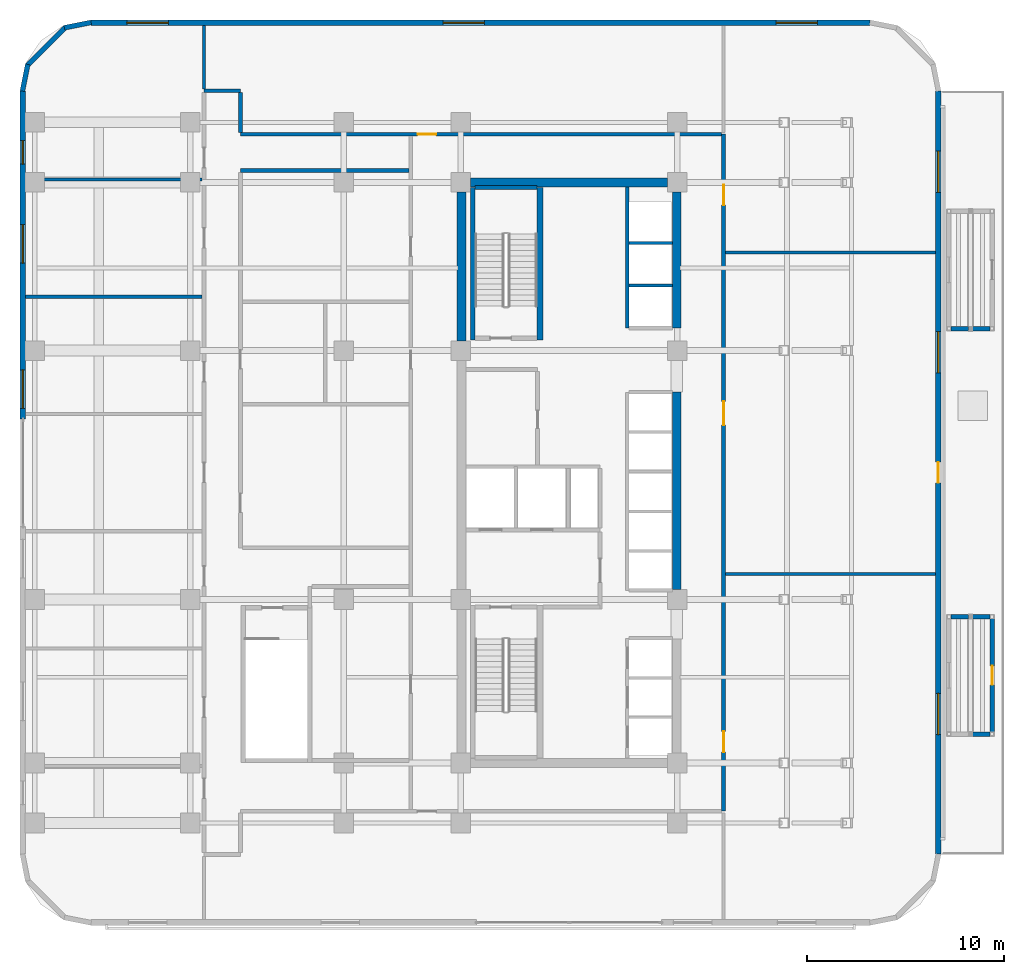
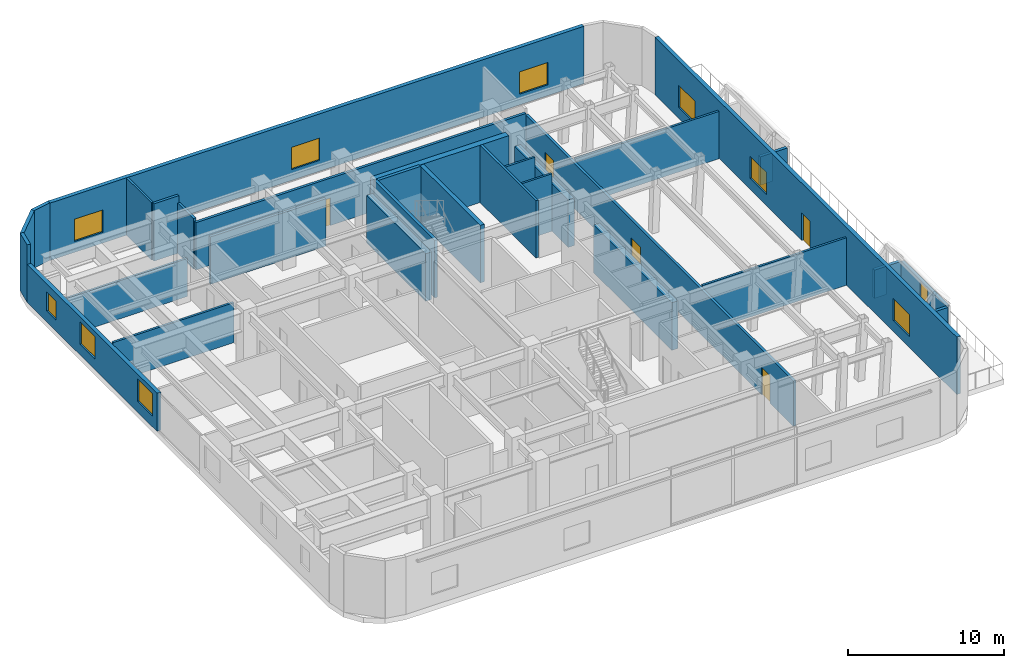
# One storey, part 12 of 18: 32 walls, 9 windows, 6 doors, 15 openings.
"""IFC4 building model written with IfcOpenShell, lengths in metres."""

from ifc_helpers import new_model, si_unit, direction, frame, frame_2d, origin, place, context, subcontext, project, spatial, rectangle, extrude, material, layer, layer_set, type_object, element, fill, save


model = new_model("IFC4")

# Units and contexts
model_context = context("Model", 3, precision=1e-05, world=origin(), true_north=direction((0.0, 1.0)))
body_context = subcontext(model_context, "Body", "Model", "MODEL_VIEW")
ifc_project = project(units=[si_unit("LENGTHUNIT", "METRE"), si_unit("AREAUNIT", "SQUARE_METRE"), si_unit("VOLUMEUNIT", "CUBIC_METRE"), si_unit("PLANEANGLEUNIT", "RADIAN"), si_unit("MASSUNIT", "GRAM", prefix="KILO")], contexts=[model_context])

# Site, building, storey
site_placement = place(None, origin())
site = spatial("IfcSite", under=ifc_project, at=site_placement, CompositionType="ELEMENT")
building_placement = place(site_placement, origin())
building = spatial("IfcBuilding", under=site, at=building_placement, Name="Ochreholt Gables", CompositionType="ELEMENT")
storey_placement = place(building_placement, frame((0.0, 0.0, 19.199951171875)))
storey = spatial("IfcBuildingStorey", under=building, at=storey_placement, Name="L04", CompositionType="ELEMENT", Elevation=19.199951171875)

# Walls
ifc_material_1 = material(Name="Concrete 60 MPa", Category="concrete")
ifc_layer_1 = layer(ifc_material_1, 0.449951171875, Name="Concrete 60 MPa")
ifc_layer_set_1 = layer_set([ifc_layer_1], Name="Concrete 60 MPa")
wall_type_1 = type_object("IfcWallType", Name="WALL-CSW-450", PredefinedType="SHEAR", material=ifc_layer_set_1)
wall_1_placement = place(storey_placement, frame((24.22509765625, 30.699951171875, 0.0), z_axis=(0.0, 0.0, 1.0), x_axis=(0.0, 1.0, 0.0)))
element("IfcWall", 1, at=wall_1_placement, inside=storey, type_object=wall_type_1, Name="L04 Core West Shear Wall WN", PredefinedType="SHEAR", context=body_context, shape_type="SweptSolid", body=[
    extrude(rectangle(XDim=7.550048828125, YDim=0.449951171875, at=frame_2d((3.77490234375, 0.0))), origin(), (0.0, 0.0, 1.0), 3.72998046875),
])
wall_2_placement = place(storey_placement, frame((35.175048828125, 18.050048828125, 0.0), z_axis=(0.0, 0.0, 1.0), x_axis=(0.0, 1.0, 0.0)))
element("IfcWall", 2, at=wall_2_placement, inside=storey, type_object=wall_type_1, Name="L04 Core Central-East Shear Wall", PredefinedType="SHEAR", context=body_context, shape_type="SweptSolid", body=[
    extrude(rectangle(XDim=10.050048828125, YDim=0.449951171875, at=frame_2d((5.02490234375, 0.0))), origin(), (0.0, 0.0, 1.0), 3.72998046875),
])
wall_3_placement = place(storey_placement, frame((35.175048828125, 31.35009765625, 0.0), z_axis=(0.0, 0.0, 1.0), x_axis=(0.0, 1.0, 0.0)))
element("IfcWall", 3, at=wall_3_placement, inside=storey, type_object=wall_type_1, Name="L04 Core North-East Shear Wall", PredefinedType="SHEAR", context=body_context, shape_type="SweptSolid", body=[
    extrude(rectangle(XDim=6.89990234375, YDim=0.449951171875, at=frame_2d((3.449951171875, 0.0))), origin(), (0.0, 0.0, 1.0), 3.72998046875),
])
wall_4_placement = place(storey_placement, frame((24.699951171875, 38.75, 0.0), z_axis=(0.0, 0.0, 1.0), x_axis=(1.0, 0.0, 0.0)))
element("IfcWall", 4, at=wall_4_placement, inside=storey, type_object=wall_type_1, Name="L04 Core North Shear Wall", PredefinedType="SHEAR", context=body_context, shape_type="SweptSolid", body=[
    extrude(rectangle(XDim=10.0, YDim=0.449951171875, at=frame_2d((5.0, 0.0))), origin(), (0.0, 0.0, 1.0), 4.5),
])

# Wall, openings, door, windows
ifc_material_2 = material(Name="Precast concrete 40 MPa", Category="concrete")
ifc_layer_2 = layer(ifc_material_2, 0.2900390625, Name="Precast concrete 40 MPa")
ifc_layer_set_2 = layer_set([ifc_layer_2], Name="Precast concrete 40 MPa")
wall_type_2 = type_object("IfcWallType", Name="WALL-EXT-290", PredefinedType="SOLIDWALL", material=ifc_layer_set_2)
wall_5_placement = place(storey_placement, frame((48.455078125, 4.6201171875, 0.0), z_axis=(0.0, 0.0, 1.0), x_axis=(0.0, 1.0, 0.0)))
wall_5 = element("IfcWall", 5, at=wall_5_placement, inside=storey, type_object=wall_type_2, Name="L04 East Exterior Wall", PredefinedType="SOLIDWALL", context=body_context, shape_type="SweptSolid", body=[
    extrude(rectangle(XDim=38.759765625, YDim=0.2900390625, at=frame_2d((19.3798828125, 0.0))), origin(), (0.0, 0.0, 1.0), 4.5),
])
opening_1_placement = place(wall_5_placement, frame((18.860107421875, 0.0, 0.0)))
opening_1 = element("IfcOpeningElement", 6, at=opening_1_placement, cuts=wall_5, Name="Opening D-TR1", PredefinedType="OPENING", context=body_context, shape_type="SweptSolid", body=[
    extrude(rectangle(XDim=1.050048828125, YDim=2.14990234375, at=frame_2d((0.52490234375, 1.074951171875))), frame((0.0, 0.155029296875, 0.0), z_axis=(0.0, -1.0, 0.0), x_axis=(1.0, 0.0, 0.0)), (0.0, 0.0, 1.0), 0.31005859375),
])
opening_2_placement = place(wall_5_placement, frame((6.0625, 0.0, 0.85009765625)))
opening_2 = element("IfcOpeningElement", 7, at=opening_2_placement, cuts=wall_5, Name="Opening WN-4", PredefinedType="OPENING", context=body_context, shape_type="SweptSolid", body=[
    extrude(rectangle(XDim=2.10009765625, YDim=1.75, at=frame_2d((1.050048828125, 0.875))), frame((0.0, 0.155029296875, 0.0), z_axis=(0.0, -1.0, 0.0), x_axis=(1.0, 0.0, 0.0)), (0.0, 0.0, 1.0), 0.31005859375),
])
opening_3_placement = place(wall_5_placement, frame((24.449951171875, 0.0, 0.85009765625)))
opening_3 = element("IfcOpeningElement", 8, at=opening_3_placement, cuts=wall_5, Name="Opening WN-4", PredefinedType="OPENING", context=body_context, shape_type="SweptSolid", body=[
    extrude(rectangle(XDim=2.10009765625, YDim=1.75, at=frame_2d((1.050048828125, 0.875))), frame((0.0, 0.155029296875, 0.0), z_axis=(0.0, -1.0, 0.0), x_axis=(1.0, 0.0, 0.0)), (0.0, 0.0, 1.0), 0.31005859375),
])
opening_4_placement = place(wall_5_placement, frame((33.614990234375, 0.0, 0.85009765625)))
opening_4 = element("IfcOpeningElement", 9, at=opening_4_placement, cuts=wall_5, Name="Opening WN-4", PredefinedType="OPENING", context=body_context, shape_type="SweptSolid", body=[
    extrude(rectangle(XDim=2.10009765625, YDim=1.75, at=frame_2d((1.050048828125, 0.875))), frame((0.0, 0.155029296875, 0.0), z_axis=(0.0, -1.0, 0.0), x_axis=(1.0, 0.0, 0.0)), (0.0, 0.0, 1.0), 0.31005859375),
])
ifc_material_3 = material(Name="Thermally Broken Insulated Steel and Glass Door", Category="steel")
door_type_1 = type_object("IfcDoorType", Name="DR-EXT-TER1050", OperationType="NOTDEFINED", PredefinedType="DOOR", material=ifc_material_3)
door_1_placement = place(opening_1_placement, origin())
door_1 = element("IfcDoor", 10, at=door_1_placement, inside=storey, type_object=door_type_1, Name="L04 Outdoor Terrace Access Door TR-L04-E", OperationType="SINGLE_SWING_RIGHT", OverallHeight=2.14990234375, OverallWidth=1.050048828125, PredefinedType="DOOR", context=body_context, shape_type="SweptSolid", body=[
    extrude(rectangle(XDim=1.050048828125, YDim=2.14990234375, at=frame_2d((0.52490234375, 1.074951171875))), frame((0.0, 0.02490234375, 0.0), z_axis=(0.0, -1.0, 0.0), x_axis=(1.0, 0.0, 0.0)), (0.0, 0.0, 1.0), 0.050048828125),
])
fill(opening_1, door_1)
ifc_material_4 = material(Name="Triple-Glazed Thermally Broken Aluminium Window", Category="aluminium")
window_type_1 = type_object("IfcWindowType", Name="WIN-CLN-2100", PartitioningType="SINGLE_PANEL", PredefinedType="WINDOW", material=ifc_material_4)
window_1_placement = place(opening_2_placement, origin())
window_1 = element("IfcWindow", 11, at=window_1_placement, inside=storey, type_object=window_type_1, Name="L04 Window W-EXT-E-L04-1", OverallHeight=1.75, OverallWidth=2.10009765625, PartitioningType="SINGLE_PANEL", PredefinedType="WINDOW", context=body_context, shape_type="SweptSolid", body=[
    extrude(rectangle(XDim=2.10009765625, YDim=1.75, at=frame_2d((1.050048828125, 0.875))), frame((0.0, 0.030029296875, 0.0), z_axis=(0.0, -1.0, 0.0), x_axis=(1.0, 0.0, 0.0)), (0.0, 0.0, 1.0), 0.06005859375),
])
fill(opening_2, window_1)
window_2_placement = place(opening_3_placement, origin())
window_2 = element("IfcWindow", 12, at=window_2_placement, inside=storey, type_object=window_type_1, Name="L04 Window W-EXT-E-L04-2", OverallHeight=1.75, OverallWidth=2.10009765625, PartitioningType="SINGLE_PANEL", PredefinedType="WINDOW", context=body_context, shape_type="SweptSolid", body=[
    extrude(rectangle(XDim=2.10009765625, YDim=1.75, at=frame_2d((1.050048828125, 0.875))), frame((0.0, 0.030029296875, 0.0), z_axis=(0.0, -1.0, 0.0), x_axis=(1.0, 0.0, 0.0)), (0.0, 0.0, 1.0), 0.06005859375),
])
fill(opening_3, window_2)
window_3_placement = place(opening_4_placement, origin())
window_3 = element("IfcWindow", 13, at=window_3_placement, inside=storey, type_object=window_type_1, Name="L04 Window W-EXT-E-L04-3", OverallHeight=1.75, OverallWidth=2.10009765625, PartitioningType="SINGLE_PANEL", PredefinedType="WINDOW", context=body_context, shape_type="SweptSolid", body=[
    extrude(rectangle(XDim=2.10009765625, YDim=1.75, at=frame_2d((1.050048828125, 0.875))), frame((0.0, 0.030029296875, 0.0), z_axis=(0.0, -1.0, 0.0), x_axis=(1.0, 0.0, 0.0)), (0.0, 0.0, 1.0), 0.06005859375),
])
fill(opening_4, window_3)

# Wall, openings, windows
wall_6_placement = place(storey_placement, frame((44.97998046875, 46.85498046875, 0.0), z_axis=(0.0, 0.0, 1.0), x_axis=(-1.0, 0.0, 0.0)))
wall_6 = element("IfcWall", 14, at=wall_6_placement, inside=storey, type_object=wall_type_2, Name="L04 North Exterior Wall", PredefinedType="SOLIDWALL", context=body_context, shape_type="SweptSolid", body=[
    extrude(rectangle(XDim=39.56005859375, YDim=0.2900390625, at=frame_2d((19.780029296875, 0.0))), origin(), (0.0, 0.0, 1.0), 4.5),
])
opening_5_placement = place(wall_6_placement, frame((35.64501953125, 0.0, 0.85009765625)))
opening_5 = element("IfcOpeningElement", 15, at=opening_5_placement, cuts=wall_6, Name="Opening WN-4", PredefinedType="OPENING", context=body_context, shape_type="SweptSolid", body=[
    extrude(rectangle(XDim=2.10009765625, YDim=1.75, at=frame_2d((1.050048828125, 0.875))), frame((0.0, 0.155029296875, 0.0), z_axis=(0.0, -1.0, 0.0), x_axis=(1.0, 0.0, 0.0)), (0.0, 0.0, 1.0), 0.31005859375),
])
opening_6_placement = place(wall_6_placement, frame((19.580078125, 0.0, 0.85009765625)))
opening_6 = element("IfcOpeningElement", 16, at=opening_6_placement, cuts=wall_6, Name="Opening WN-4", PredefinedType="OPENING", context=body_context, shape_type="SweptSolid", body=[
    extrude(rectangle(XDim=2.10009765625, YDim=1.75, at=frame_2d((1.050048828125, 0.875))), frame((0.0, 0.155029296875, 0.0), z_axis=(0.0, -1.0, 0.0), x_axis=(1.0, 0.0, 0.0)), (0.0, 0.0, 1.0), 0.31005859375),
])
opening_7_placement = place(wall_6_placement, frame((2.6650390625, 0.0, 0.85009765625)))
opening_7 = element("IfcOpeningElement", 17, at=opening_7_placement, cuts=wall_6, Name="Opening WN-4", PredefinedType="OPENING", context=body_context, shape_type="SweptSolid", body=[
    extrude(rectangle(XDim=2.10009765625, YDim=1.75, at=frame_2d((1.050048828125, 0.875))), frame((0.0, 0.155029296875, 0.0), z_axis=(0.0, -1.0, 0.0), x_axis=(1.0, 0.0, 0.0)), (0.0, 0.0, 1.0), 0.31005859375),
])
window_4_placement = place(opening_5_placement, origin())
window_4 = element("IfcWindow", 18, at=window_4_placement, inside=storey, type_object=window_type_1, Name="L04 Window W-EXT-N-L04-1", OverallHeight=1.75, OverallWidth=2.10009765625, PartitioningType="SINGLE_PANEL", PredefinedType="WINDOW", context=body_context, shape_type="SweptSolid", body=[
    extrude(rectangle(XDim=2.10009765625, YDim=1.75, at=frame_2d((1.050048828125, 0.875))), frame((0.0, 0.030029296875, 0.0), z_axis=(0.0, -1.0, 0.0), x_axis=(1.0, 0.0, 0.0)), (0.0, 0.0, 1.0), 0.06005859375),
])
fill(opening_5, window_4)
window_5_placement = place(opening_6_placement, origin())
window_5 = element("IfcWindow", 19, at=window_5_placement, inside=storey, type_object=window_type_1, Name="L04 Window W-EXT-N-L04-2", OverallHeight=1.75, OverallWidth=2.10009765625, PartitioningType="SINGLE_PANEL", PredefinedType="WINDOW", context=body_context, shape_type="SweptSolid", body=[
    extrude(rectangle(XDim=2.10009765625, YDim=1.75, at=frame_2d((1.050048828125, 0.875))), frame((0.0, 0.030029296875, 0.0), z_axis=(0.0, -1.0, 0.0), x_axis=(1.0, 0.0, 0.0)), (0.0, 0.0, 1.0), 0.06005859375),
])
fill(opening_6, window_5)
window_6_placement = place(opening_7_placement, origin())
window_6 = element("IfcWindow", 20, at=window_6_placement, inside=storey, type_object=window_type_1, Name="L04 Window W-EXT-N-L04-3", OverallHeight=1.75, OverallWidth=2.10009765625, PartitioningType="SINGLE_PANEL", PredefinedType="WINDOW", context=body_context, shape_type="SweptSolid", body=[
    extrude(rectangle(XDim=2.10009765625, YDim=1.75, at=frame_2d((1.050048828125, 0.875))), frame((0.0, 0.030029296875, 0.0), z_axis=(0.0, -1.0, 0.0), x_axis=(1.0, 0.0, 0.0)), (0.0, 0.0, 1.0), 0.06005859375),
])
fill(opening_7, window_6)

wall_7_placement = place(storey_placement, frame((1.945068359375, 43.3798828125, 0.0), z_axis=(0.0, 0.0, 1.0), x_axis=(0.0, -1.0, 0.0)))
wall_7 = element("IfcWall", 21, at=wall_7_placement, inside=storey, type_object=wall_type_2, Name="L04 West Facade Wall 1", PredefinedType="SOLIDWALL", context=body_context, shape_type="SweptSolid", body=[
    extrude(rectangle(XDim=16.64990234375, YDim=0.2900390625, at=frame_2d((8.324951171875, 0.0))), origin(), (0.0, 0.0, 1.0), 2.98193359375),
])
opening_8_placement = place(wall_7_placement, frame((14.159912109375, 0.0, 0.85009765625)))
opening_8 = element("IfcOpeningElement", 22, at=opening_8_placement, cuts=wall_7, Name="Opening WN-9", PredefinedType="OPENING", context=body_context, shape_type="SweptSolid", body=[
    extrude(rectangle(XDim=1.949951171875, YDim=1.75, at=frame_2d((0.97509765625, 0.875))), frame((0.0, 0.155029296875, 0.0), z_axis=(0.0, -1.0, 0.0), x_axis=(1.0, 0.0, 0.0)), (0.0, 0.0, 1.0), 0.31005859375),
])
opening_9_placement = place(wall_7_placement, frame((6.780029296875, 0.0, 0.85009765625)))
opening_9 = element("IfcOpeningElement", 23, at=opening_9_placement, cuts=wall_7, Name="Opening WN-9", PredefinedType="OPENING", context=body_context, shape_type="SweptSolid", body=[
    extrude(rectangle(XDim=1.949951171875, YDim=1.75, at=frame_2d((0.97509765625, 0.875))), frame((0.0, 0.155029296875, 0.0), z_axis=(0.0, -1.0, 0.0), x_axis=(1.0, 0.0, 0.0)), (0.0, 0.0, 1.0), 0.31005859375),
])
opening_10_placement = place(wall_7_placement, frame((2.5048828125, 0.0, 0.85009765625)))
opening_10 = element("IfcOpeningElement", 24, at=opening_10_placement, cuts=wall_7, Name="Opening WN-3", PredefinedType="OPENING", context=body_context, shape_type="SweptSolid", body=[
    extrude(rectangle(XDim=1.199951171875, YDim=1.5, at=frame_2d((0.60009765625, 0.75))), frame((0.0, 0.155029296875, 0.0), z_axis=(0.0, -1.0, 0.0), x_axis=(1.0, 0.0, 0.0)), (0.0, 0.0, 1.0), 0.31005859375),
])
window_type_2 = type_object("IfcWindowType", Name="WIN-CLN-1950", PartitioningType="SINGLE_PANEL", PredefinedType="WINDOW", material=ifc_material_4)
window_7_placement = place(opening_8_placement, origin())
window_7 = element("IfcWindow", 25, at=window_7_placement, inside=storey, type_object=window_type_2, Name="L04 Window W-EXT-W1-L04-1", OverallHeight=1.75, OverallWidth=1.949951171875, PartitioningType="SINGLE_PANEL", PredefinedType="WINDOW", context=body_context, shape_type="SweptSolid", body=[
    extrude(rectangle(XDim=1.949951171875, YDim=1.75, at=frame_2d((0.97509765625, 0.875))), frame((0.0, 0.030029296875, 0.0), z_axis=(0.0, -1.0, 0.0), x_axis=(1.0, 0.0, 0.0)), (0.0, 0.0, 1.0), 0.06005859375),
])
fill(opening_8, window_7)
window_8_placement = place(opening_9_placement, origin())
window_8 = element("IfcWindow", 26, at=window_8_placement, inside=storey, type_object=window_type_2, Name="L04 Window W-EXT-W1-L04-2", OverallHeight=1.75, OverallWidth=1.949951171875, PartitioningType="SINGLE_PANEL", PredefinedType="WINDOW", context=body_context, shape_type="SweptSolid", body=[
    extrude(rectangle(XDim=1.949951171875, YDim=1.75, at=frame_2d((0.97509765625, 0.875))), frame((0.0, 0.030029296875, 0.0), z_axis=(0.0, -1.0, 0.0), x_axis=(1.0, 0.0, 0.0)), (0.0, 0.0, 1.0), 0.06005859375),
])
fill(opening_9, window_8)
window_type_3 = type_object("IfcWindowType", Name="WIN-RES-1200", PartitioningType="SINGLE_PANEL", PredefinedType="WINDOW", material=ifc_material_4)
window_9_placement = place(opening_10_placement, origin())
window_9 = element("IfcWindow", 27, at=window_9_placement, inside=storey, type_object=window_type_3, Name="L04 Window W-EXT-W1-L04-3", OverallHeight=1.5, OverallWidth=1.199951171875, PartitioningType="SINGLE_PANEL", PredefinedType="WINDOW", context=body_context, shape_type="SweptSolid", body=[
    extrude(rectangle(XDim=1.199951171875, YDim=1.5, at=frame_2d((0.60009765625, 0.75))), frame((0.0, 0.030029296875, 0.0), z_axis=(0.0, -1.0, 0.0), x_axis=(1.0, 0.0, 0.0)), (0.0, 0.0, 1.0), 0.06005859375),
])
fill(opening_10, window_9)

# Walls
ifc_layer_3 = layer(ifc_material_2, 0.25, Name="Precast concrete 40 MPa")
ifc_layer_set_3 = layer_set([ifc_layer_3], Name="Precast concrete 40 MPa")
wall_type_3 = type_object("IfcWallType", Name="WALL-EXT-CNR", PredefinedType="SOLIDWALL", material=ifc_layer_set_3)
wall_8_placement = place(storey_placement, frame((5.41650390625, 46.875732421875, 0.0), z_axis=(0.0, 0.0, 1.0), x_axis=(-0.980809899341, -0.19496651342, 0.0)))
element("IfcWall", 28, at=wall_8_placement, inside=storey, type_object=wall_type_3, Name="L04 Rounded Corner Wall NW-1", PredefinedType="SOLIDWALL", context=body_context, shape_type="SweptSolid", body=[
    extrude(rectangle(XDim=1.388671875, YDim=0.25, at=frame_2d((0.6943359375, 0.0))), origin(), (0.0, 0.0, 1.0), 4.5),
])
wall_9_placement = place(storey_placement, frame((4.10498046875, 46.632080078125, 0.0), z_axis=(0.0, 0.0, 1.0), x_axis=(-0.707106781187, -0.707106781187, 0.0)))
element("IfcWall", 29, at=wall_9_placement, inside=storey, type_object=wall_type_3, Name="L04 Rounded Corner Wall NW-2", PredefinedType="SOLIDWALL", context=body_context, shape_type="SweptSolid", body=[
    extrude(rectangle(XDim=2.7392578125, YDim=0.25, at=frame_2d((1.36962890625, 0.0))), origin(), (0.0, 0.0, 1.0), 4.5),
])
wall_10_placement = place(storey_placement, frame((2.195068359375, 44.74560546875, 0.0), z_axis=(0.0, 0.0, 1.0), x_axis=(-0.19496651342, -0.980809899341, 0.0)))
element("IfcWall", 30, at=wall_10_placement, inside=storey, type_object=wall_type_3, Name="L04 Rounded Corner Wall NW-3", PredefinedType="SOLIDWALL", context=body_context, shape_type="SweptSolid", body=[
    extrude(rectangle(XDim=1.388671875, YDim=0.25, at=frame_2d((0.6943359375, 0.0))), origin(), (0.0, 0.0, 1.0), 4.5),
])
ifc_layer_4 = layer(ifc_material_2, 0.22998046875, Name="Precast concrete 40 MPa")
ifc_layer_set_4 = layer_set([ifc_layer_4], Name="Precast concrete 40 MPa")
wall_type_4 = type_object("IfcWallType", Name="WALL-EXT-GAB", PredefinedType="SOLIDWALL", material=ifc_layer_set_4)
for number, where, z_axis, x_axis, name in (
    (31, (50.201904296875, 10.715087890625, 0.0), (0.0, 0.0, 1.0), (1.0, 0.0, 0.0), "L04 Gable End Wall GB-04E1-S2"),
    (32, (49.10205078125, 16.68505859375, 0.0), (0.0, 0.0, 1.0), (1.0, 0.0, 0.0), "L04 Gable End Wall GB-04E1-N1"),
    (33, (50.201904296875, 16.68505859375, 0.0), (0.0, 0.0, 1.0), (1.0, 0.0, 0.0), "L04 Gable End Wall GB-04E1-N2"),
):
    element("IfcWall", number, at=place(storey_placement, frame(where, z_axis=z_axis, x_axis=x_axis)), inside=storey, type_object=wall_type_4, Name=name, PredefinedType="SOLIDWALL", context=body_context, shape_type="SweptSolid", body=[
        extrude(rectangle(XDim=0.89599609375, YDim=0.22998046875, at=frame_2d((0.447998046875, 0.0))), origin(), (0.0, 0.0, 1.0), 2.22705078125),
    ])

# Wall, opening, door
wall_11_placement = place(storey_placement, frame((51.205078125, 10.822021484375, 0.0), z_axis=(0.0, 0.0, 1.0), x_axis=(0.0, 1.0, 0.0)))
wall_11 = element("IfcWall", 34, at=wall_11_placement, inside=storey, type_object=wall_type_4, Name="L04 Gable Eave Wall GB-04E1-E", PredefinedType="SOLIDWALL", context=body_context, shape_type="SweptSolid", body=[
    extrude(rectangle(XDim=5.755859375, YDim=0.22998046875, at=frame_2d((2.8779296875, 0.0))), origin(), (0.0, 0.0, 1.0), 2.22705078125),
])
opening_11_placement = place(wall_11_placement, frame((2.39794921875, 0.0, 0.0)))
opening_11 = element("IfcOpeningElement", 35, at=opening_11_placement, cuts=wall_11, Name="Opening D-GB1", PredefinedType="OPENING", context=body_context, shape_type="SweptSolid", body=[
    extrude(rectangle(XDim=0.9599609375, YDim=2.080078125, at=frame_2d((0.47998046875, 1.0400390625))), frame((0.0, 0.125, 0.0), z_axis=(0.0, -1.0, 0.0), x_axis=(1.0, 0.0, 0.0)), (0.0, 0.0, 1.0), 0.25),
])
door_type_2 = type_object("IfcDoorType", Name="DR-EXT-GAB960", OperationType="NOTDEFINED", PredefinedType="DOOR", material=ifc_material_3)
door_2_placement = place(opening_11_placement, origin())
door_2 = element("IfcDoor", 36, at=door_2_placement, inside=storey, type_object=door_type_2, Name="L04 Gable Pavilion Door GB-04E1", OperationType="SINGLE_SWING_LEFT", OverallHeight=2.080078125, OverallWidth=0.9599609375, PredefinedType="DOOR", context=body_context, shape_type="SweptSolid", body=[
    extrude(rectangle(XDim=0.9599609375, YDim=2.080078125, at=frame_2d((0.47998046875, 1.0400390625))), frame((0.0, 0.02490234375, 0.0), z_axis=(0.0, -1.0, 0.0), x_axis=(1.0, 0.0, 0.0)), (0.0, 0.0, 1.0), 0.050048828125),
])
fill(opening_11, door_2)

# Walls
for number, where, z_axis, x_axis, name in (
    (37, (49.10205078125, 31.31494140625, 0.0), (0.0, 0.0, 1.0), (1.0, 0.0, 0.0), "L04 Gable End Wall GB-04E2-S1"),
    (38, (50.201904296875, 31.31494140625, 0.0), (0.0, 0.0, 1.0), (1.0, 0.0, 0.0), "L04 Gable End Wall GB-04E2-S2"),
):
    element("IfcWall", number, at=place(storey_placement, frame(where, z_axis=z_axis, x_axis=x_axis)), inside=storey, type_object=wall_type_4, Name=name, PredefinedType="SOLIDWALL", context=body_context, shape_type="SweptSolid", body=[
        extrude(rectangle(XDim=0.89599609375, YDim=0.22998046875, at=frame_2d((0.447998046875, 0.0))), origin(), (0.0, 0.0, 1.0), 2.22705078125),
    ])

# Wall, openings, doors
ifc_material_5 = material(Name="Fire-Rated Gypsum Acoustic Partition", Category="gypsum")
ifc_layer_5 = layer(ifc_material_5, 0.18994140625, Name="Fire-Rated Gypsum Acoustic Partition")
ifc_layer_set_5 = layer_set([ifc_layer_5], Name="Fire-Rated Gypsum Acoustic Partition")
wall_type_5 = type_object("IfcWallType", Name="WALL-INT-CR190", PredefinedType="STANDARD", material=ifc_layer_set_5)
wall_12_placement = place(storey_placement, frame((37.550048828125, 6.800048828125, 0.0), z_axis=(0.0, 0.0, 1.0), x_axis=(0.0, 1.0, 0.0)))
wall_12 = element("IfcWall", 39, at=wall_12_placement, inside=storey, type_object=wall_type_5, Name="L04 Interior Wall WI-CLCE-L04", PredefinedType="STANDARD", context=body_context, shape_type="SweptSolid", body=[
    extrude(rectangle(XDim=34.39990234375, YDim=0.18994140625, at=frame_2d((17.199951171875, 0.0))), origin(), (0.0, 0.0, 1.0), 3.554931640625),
])
opening_12_placement = place(wall_12_placement, frame((3.0, 0.0, 0.0)))
opening_12 = element("IfcOpeningElement", 40, at=opening_12_placement, cuts=wall_12, Name="Opening D-CL1", PredefinedType="OPENING", context=body_context, shape_type="SweptSolid", body=[
    extrude(rectangle(XDim=1.050048828125, YDim=2.14990234375, at=frame_2d((0.52490234375, 1.074951171875))), frame((0.0, 0.10498046875, 0.0), z_axis=(0.0, -1.0, 0.0), x_axis=(1.0, 0.0, 0.0)), (0.0, 0.0, 1.0), 0.2099609375),
])
opening_13_placement = place(wall_12_placement, frame((19.617431640625, 0.0, 0.0)))
opening_13 = element("IfcOpeningElement", 41, at=opening_13_placement, cuts=wall_12, Name="Opening D-CL2", PredefinedType="OPENING", context=body_context, shape_type="SweptSolid", body=[
    extrude(rectangle(XDim=1.199951171875, YDim=2.14990234375, at=frame_2d((0.60009765625, 1.074951171875))), frame((0.0, 0.10498046875, 0.0), z_axis=(0.0, -1.0, 0.0), x_axis=(1.0, 0.0, 0.0)), (0.0, 0.0, 1.0), 0.2099609375),
])
opening_14_placement = place(wall_12_placement, frame((30.7900390625, 0.0, 0.0)))
opening_14 = element("IfcOpeningElement", 42, at=opening_14_placement, cuts=wall_12, Name="Opening D-CL1", PredefinedType="OPENING", context=body_context, shape_type="SweptSolid", body=[
    extrude(rectangle(XDim=1.050048828125, YDim=2.14990234375, at=frame_2d((0.52490234375, 1.074951171875))), frame((0.0, 0.10498046875, 0.0), z_axis=(0.0, -1.0, 0.0), x_axis=(1.0, 0.0, 0.0)), (0.0, 0.0, 1.0), 0.2099609375),
])
ifc_material_6 = material(Name="Engineered Oak Timber", Category="wood")
door_type_3 = type_object("IfcDoorType", Name="DR-INT-CLN1050", OperationType="NOTDEFINED", PredefinedType="DOOR", material=ifc_material_6)
door_3_placement = place(opening_12_placement, origin())
door_3 = element("IfcDoor", 43, at=door_3_placement, inside=storey, type_object=door_type_3, Name="L04 Door D-CLE1-L04", OperationType="SINGLE_SWING_LEFT", OverallHeight=2.14990234375, OverallWidth=1.050048828125, PredefinedType="DOOR", context=body_context, shape_type="SweptSolid", body=[
    extrude(rectangle(XDim=1.050048828125, YDim=2.14990234375, at=frame_2d((0.52490234375, 1.074951171875))), frame((0.0, 0.02490234375, 0.0), z_axis=(0.0, -1.0, 0.0), x_axis=(1.0, 0.0, 0.0)), (0.0, 0.0, 1.0), 0.050048828125),
])
fill(opening_12, door_3)
door_4_placement = place(opening_14_placement, origin())
door_4 = element("IfcDoor", 44, at=door_4_placement, inside=storey, type_object=door_type_3, Name="L04 Door D-CLE3-L04", OperationType="SINGLE_SWING_LEFT", OverallHeight=2.14990234375, OverallWidth=1.050048828125, PredefinedType="DOOR", context=body_context, shape_type="SweptSolid", body=[
    extrude(rectangle(XDim=1.050048828125, YDim=2.14990234375, at=frame_2d((0.52490234375, 1.074951171875))), frame((0.0, 0.02490234375, 0.0), z_axis=(0.0, -1.0, 0.0), x_axis=(1.0, 0.0, 0.0)), (0.0, 0.0, 1.0), 0.050048828125),
])
fill(opening_14, door_4)
door_type_4 = type_object("IfcDoorType", Name="DR-INT-CLN1200", OperationType="NOTDEFINED", PredefinedType="DOOR", material=ifc_material_6)
door_5_placement = place(opening_13_placement, origin())
door_5 = element("IfcDoor", 45, at=door_5_placement, inside=storey, type_object=door_type_4, Name="L04 Door D-CLE2-L04", OperationType="SINGLE_SWING_RIGHT", OverallHeight=2.14990234375, OverallWidth=1.199951171875, PredefinedType="DOOR", context=body_context, shape_type="SweptSolid", body=[
    extrude(rectangle(XDim=1.199951171875, YDim=2.14990234375, at=frame_2d((0.60009765625, 1.074951171875))), frame((0.0, 0.02490234375, 0.0), z_axis=(0.0, -1.0, 0.0), x_axis=(1.0, 0.0, 0.0)), (0.0, 0.0, 1.0), 0.050048828125),
])
fill(opening_13, door_5)

# Wall, opening, door
wall_13_placement = place(storey_placement, frame((13.0, 41.199951171875, 0.0), z_axis=(0.0, 0.0, 1.0), x_axis=(1.0, 0.0, 0.0)))
wall_13 = element("IfcWall", 46, at=wall_13_placement, inside=storey, type_object=wall_type_5, Name="L04 Interior Wall WI-CLCN-L04", PredefinedType="STANDARD", context=body_context, shape_type="SweptSolid", body=[
    extrude(rectangle(XDim=24.455078125, YDim=0.18994140625, at=frame_2d((12.2275390625, 0.0))), origin(), (0.0, 0.0, 1.0), 3.712158203125),
])
opening_15_placement = place(wall_13_placement, frame((9.0, 0.0, 0.0)))
opening_15 = element("IfcOpeningElement", 47, at=opening_15_placement, cuts=wall_13, Name="Opening D-GN1", PredefinedType="OPENING", context=body_context, shape_type="SweptSolid", body=[
    extrude(rectangle(XDim=0.949951171875, YDim=2.14990234375, at=frame_2d((0.47509765625, 1.074951171875))), frame((0.0, 0.10498046875, 0.0), z_axis=(0.0, -1.0, 0.0), x_axis=(1.0, 0.0, 0.0)), (0.0, 0.0, 1.0), 0.2099609375),
])
door_type_5 = type_object("IfcDoorType", Name="DR-INT-GEN950", OperationType="NOTDEFINED", PredefinedType="DOOR", material=ifc_material_6)
door_6_placement = place(opening_15_placement, origin())
door_6 = element("IfcDoor", 48, at=door_6_placement, inside=storey, type_object=door_type_5, Name="L04 Door D-CLCN-L04", OperationType="SINGLE_SWING_RIGHT", OverallHeight=2.14990234375, OverallWidth=0.949951171875, PredefinedType="DOOR", context=body_context, shape_type="SweptSolid", body=[
    extrude(rectangle(XDim=0.949951171875, YDim=2.14990234375, at=frame_2d((0.47509765625, 1.074951171875))), frame((0.0, 0.02490234375, 0.0), z_axis=(0.0, -1.0, 0.0), x_axis=(1.0, 0.0, 0.0)), (0.0, 0.0, 1.0), 0.050048828125),
])
fill(opening_15, door_6)

# Walls
wall_14_placement = place(storey_placement, frame((11.14990234375, 43.39990234375, 0.0), z_axis=(0.0, 0.0, 1.0), x_axis=(1.0, 0.0, 0.0)))
element("IfcWall", 49, at=wall_14_placement, inside=storey, type_object=wall_type_5, Name="L04 Interior Wall WI-CLCN0-L04", PredefinedType="STANDARD", context=body_context, shape_type="SweptSolid", body=[
    extrude(rectangle(XDim=1.85009765625, YDim=0.18994140625, at=frame_2d((0.925048828125, 0.0))), origin(), (0.0, 0.0, 1.0), 4.5),
])
wall_15_placement = place(storey_placement, frame((13.0, 41.294921875, 0.0), z_axis=(0.0, 0.0, 1.0), x_axis=(0.0, 1.0, 0.0)))
element("IfcWall", 50, at=wall_15_placement, inside=storey, type_object=wall_type_5, Name="L04 Interior Wall WI-CLCN1-L04", PredefinedType="STANDARD", context=body_context, shape_type="SweptSolid", body=[
    extrude(rectangle(XDim=2.010009765625, YDim=0.18994140625, at=frame_2d((1.0048828125, 0.0))), origin(), (0.0, 0.0, 1.0), 3.948974609375),
])
wall_16_placement = place(storey_placement, frame((13.0, 39.35009765625, 0.0), z_axis=(0.0, 0.0, 1.0), x_axis=(1.0, 0.0, 0.0)))
element("IfcWall", 51, at=wall_16_placement, inside=storey, type_object=wall_type_5, Name="L04 Interior Wall WI-CLCN2-L04", PredefinedType="STANDARD", context=body_context, shape_type="SweptSolid", body=[
    extrude(rectangle(XDim=8.554931640625, YDim=0.18994140625, at=frame_2d((4.27734375, 0.0))), origin(), (0.0, 0.0, 1.0), 3.712158203125),
])
ifc_material_7 = material(Name="Gypsum Acoustic Stud Partition", Category="gypsum")
ifc_layer_6 = layer(ifc_material_7, 0.159912109375, Name="Gypsum Acoustic Stud Partition")
ifc_layer_set_6 = layer_set([ifc_layer_6], Name="Gypsum Acoustic Stud Partition")
wall_type_6 = type_object("IfcWallType", Name="WALL-INT-PT160", PredefinedType="PARTITIONING", material=ifc_layer_set_6)
wall_17_placement = place(storey_placement, frame((11.14990234375, 43.4951171875, 0.0), z_axis=(0.0, 0.0, 1.0), x_axis=(0.0, 1.0, 0.0)))
element("IfcWall", 52, at=wall_17_placement, inside=storey, type_object=wall_type_6, Name="L04 Interior Wall WI-CLWWN-L04", PredefinedType="PARTITIONING", context=body_context, shape_type="SweptSolid", body=[
    extrude(rectangle(XDim=3.21484375, YDim=0.159912109375, at=frame_2d((1.607421875, 0.0))), origin(), (0.0, 0.0, 1.0), 4.5),
])
for number, where, z_axis, x_axis, name in (
    (53, (37.64501953125, 18.844970703125, 0.0), (0.0, 0.0, 1.0), (1.0, 0.0, 0.0), "L04 Interior Wall WI-CLE1-L04"),
    (54, (37.64501953125, 35.18994140625, 0.0), (0.0, 0.0, 1.0), (1.0, 0.0, 0.0), "L04 Interior Wall WI-CLE2-L04"),
):
    element("IfcWall", number, at=place(storey_placement, frame(where, z_axis=z_axis, x_axis=x_axis)), inside=storey, type_object=wall_type_6, Name=name, PredefinedType="PARTITIONING", context=body_context, shape_type="SweptSolid", body=[
        extrude(rectangle(XDim=10.6650390625, YDim=0.159912109375, at=frame_2d((5.33251953125, 0.0))), origin(), (0.0, 0.0, 1.0), 3.712158203125),
    ])
wall_18_placement = place(storey_placement, frame((2.090087890625, 32.93994140625, 0.0), z_axis=(0.0, 0.0, 1.0), x_axis=(1.0, 0.0, 0.0)))
element("IfcWall", 55, at=wall_18_placement, inside=storey, type_object=wall_type_6, Name="L04 Interior Wall WI-CLW5-L04", PredefinedType="PARTITIONING", context=body_context, shape_type="SweptSolid", body=[
    extrude(rectangle(XDim=8.96484375, YDim=0.159912109375, at=frame_2d((4.482421875, 0.0))), origin(), (0.0, 0.0, 1.0), 3.132080078125),
])
wall_19_placement = place(storey_placement, frame((2.090087890625, 38.89990234375, 0.0), z_axis=(0.0, 0.0, 1.0), x_axis=(1.0, 0.0, 0.0)))
element("IfcWall", 56, at=wall_19_placement, inside=storey, type_object=wall_type_6, Name="L04 Interior Wall WI-CLW6-L04", PredefinedType="PARTITIONING", context=body_context, shape_type="SweptSolid", body=[
    extrude(rectangle(XDim=8.96484375, YDim=0.159912109375, at=frame_2d((4.482421875, 0.0))), origin(), (0.0, 0.0, 1.0), 2.98193359375),
])
ifc_material_8 = material(Name="Gypsum Shaftliner and Steel Stud", Category="steel")
ifc_layer_7 = layer(ifc_material_8, 0.14990234375, Name="Gypsum Shaftliner and Steel Stud")
ifc_layer_set_7 = layer_set([ifc_layer_7], Name="Gypsum Shaftliner and Steel Stud")
wall_type_7 = type_object("IfcWallType", Name="WALL-INT-SH150", PredefinedType="STANDARD", material=ifc_layer_set_7)
for number, where, z_axis, x_axis, name in (
    (57, (32.739990234375, 33.52001953125, 0.0), (0.0, 0.0, 1.0), (1.0, 0.0, 0.0), "L04 Interior Wall WI-LFM-D1-L04"),
    (58, (32.739990234375, 35.669921875, 0.0), (0.0, 0.0, 1.0), (1.0, 0.0, 0.0), "L04 Interior Wall WI-LFM-D2-L04"),
):
    element("IfcWall", number, at=place(storey_placement, frame(where, z_axis=z_axis, x_axis=x_axis)), inside=storey, type_object=wall_type_7, Name=name, PredefinedType="STANDARD", context=body_context, shape_type="SweptSolid", body=[
        extrude(rectangle(XDim=2.2099609375, YDim=0.14990234375, at=frame_2d((1.10498046875, 0.0))), origin(), (0.0, 0.0, 1.0), 4.5),
    ])
ifc_layer_8 = layer(ifc_material_8, 0.179931640625, Name="Gypsum Shaftliner and Steel Stud")
ifc_layer_set_8 = layer_set([ifc_layer_8], Name="Gypsum Shaftliner and Steel Stud")
wall_type_8 = type_object("IfcWallType", Name="WALL-INT-SH180", PredefinedType="STANDARD", material=ifc_layer_set_8)
wall_20_placement = place(storey_placement, frame((32.64990234375, 31.35009765625, 0.0), z_axis=(0.0, 0.0, 1.0), x_axis=(0.0, 1.0, 0.0)))
element("IfcWall", 59, at=wall_20_placement, inside=storey, type_object=wall_type_8, Name="L04 Interior Wall WI-LFM-FR-L04", PredefinedType="STANDARD", context=body_context, shape_type="SweptSolid", body=[
    extrude(rectangle(XDim=7.1748046875, YDim=0.179931640625, at=frame_2d((3.58740234375, 0.0))), origin(), (0.0, 0.0, 1.0), 4.5),
])
ifc_layer_9 = layer(ifc_material_1, 0.300048828125, Name="Concrete 60 MPa")
ifc_layer_set_9 = layer_set([ifc_layer_9], Name="Concrete 60 MPa")
wall_type_9 = type_object("IfcWallType", Name="WALL-SPN-300", PredefinedType="SHEAR", material=ifc_layer_set_9)
wall_21_placement = place(storey_placement, frame((28.22998046875, 30.739990234375, 0.0), z_axis=(0.0, 0.0, 1.0), x_axis=(0.0, 1.0, 0.0)))
element("IfcWall", 60, at=wall_21_placement, inside=storey, type_object=wall_type_9, Name="L04 Core North Spine Shear Wall", PredefinedType="SHEAR", context=body_context, shape_type="SweptSolid", body=[
    extrude(rectangle(XDim=7.760009765625, YDim=0.300048828125, at=frame_2d((3.8798828125, 0.0))), origin(), (0.0, 0.0, 1.0), 4.5),
])
ifc_material_9 = material(Name="Concrete 50 MPa", Category="concrete")
ifc_layer_10 = layer(ifc_material_9, 0.219970703125, Name="Concrete 50 MPa")
ifc_layer_set_10 = layer_set([ifc_layer_10], Name="Concrete 50 MPa")
wall_type_10 = type_object("IfcWallType", Name="WALL-STW-220", PredefinedType="SHEAR", material=ifc_layer_set_10)
wall_22_placement = place(storey_placement, frame((24.81005859375, 30.739990234375, 0.0), z_axis=(0.0, 0.0, 1.0), x_axis=(0.0, 1.0, 0.0)))
element("IfcWall", 61, at=wall_22_placement, inside=storey, type_object=wall_type_10, Name="L04 Exit Stair 2 West Wall", PredefinedType="SHEAR", context=body_context, shape_type="SweptSolid", body=[
    extrude(rectangle(XDim=7.760009765625, YDim=0.219970703125, at=frame_2d((3.8798828125, 0.0))), origin(), (0.0, 0.0, 1.0), 4.5),
])
wall_23_placement = place(storey_placement, frame((24.919921875, 38.489990234375, 0.0), z_axis=(0.0, 0.0, 1.0), x_axis=(1.0, 0.0, 0.0)))
element("IfcWall", 62, at=wall_23_placement, inside=storey, type_object=wall_type_10, Name="L04 Exit Stair 2 North Wall", PredefinedType="SHEAR", context=body_context, shape_type="SweptSolid", body=[
    extrude(rectangle(XDim=3.16015625, YDim=0.219970703125, at=frame_2d((1.580078125, 0.0))), origin(), (0.0, 0.0, 1.0), 4.5),
])

save(model, "model.ifc")
